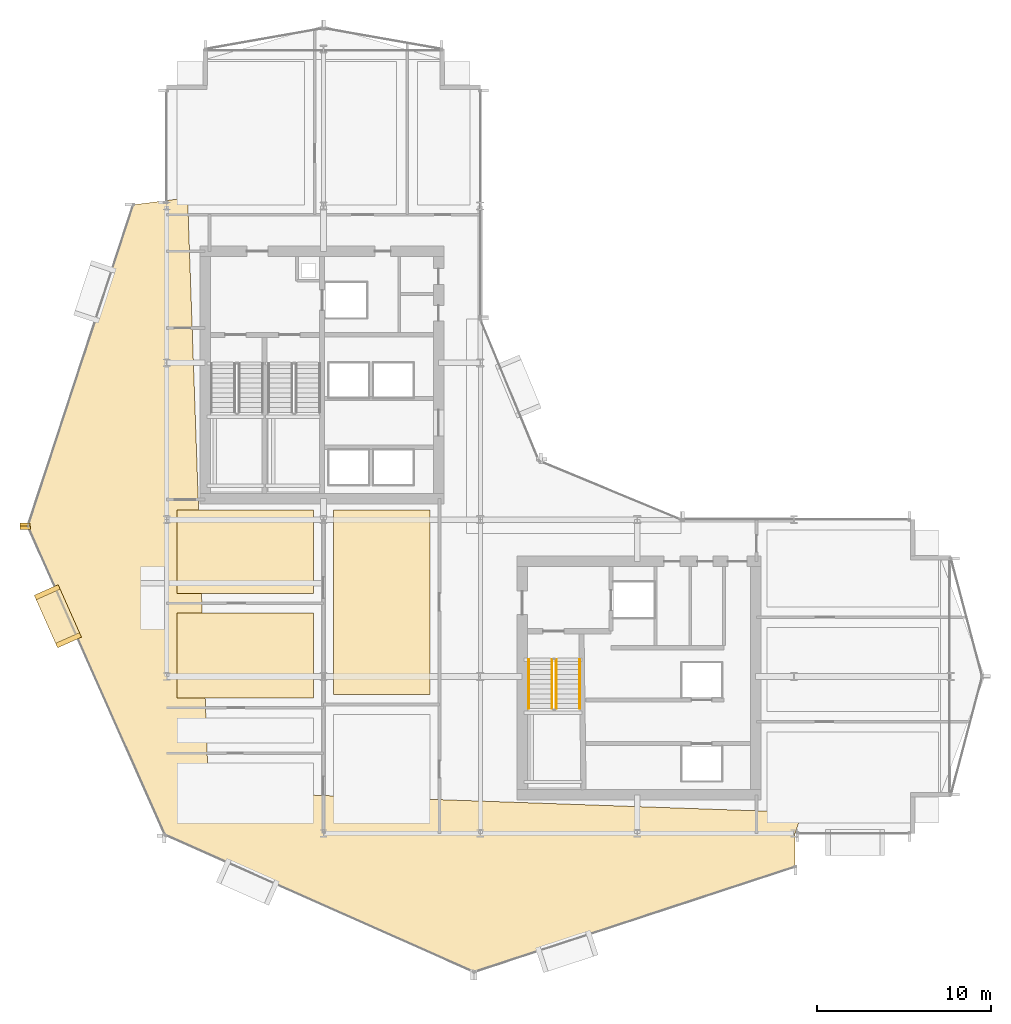
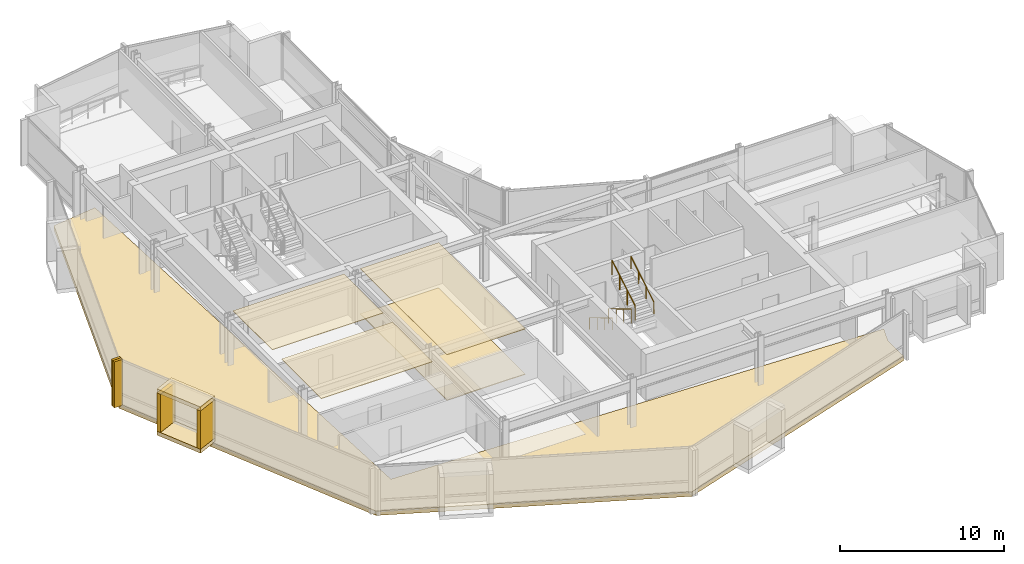
# One storey, part 25 of 28: 11 coverings, 4 railings.
"""IFC4 building model written with IfcOpenShell, lengths in metres."""

from ifc_helpers import new_model, si_unit, direction, frame, origin, origin_2d, place, context, subcontext, project, spatial, polyline, rectangle, circle, outline, extrude, material, layer, layer_set, type_object, element, save


model = new_model("IFC4")

# Units and contexts
model_context = context("Model", 3, precision=1e-05, world=origin(), true_north=direction((0.0, 1.0)))
body_context = subcontext(model_context, "Body", "Model", "MODEL_VIEW")
ifc_project = project(units=[si_unit("LENGTHUNIT", "METRE"), si_unit("AREAUNIT", "SQUARE_METRE"), si_unit("VOLUMEUNIT", "CUBIC_METRE"), si_unit("PLANEANGLEUNIT", "RADIAN"), si_unit("MASSUNIT", "GRAM", prefix="KILO")], contexts=[model_context])

# Site, building, storey
site_placement = place(None, origin())
site = spatial("IfcSite", under=ifc_project, at=site_placement, CompositionType="ELEMENT")
building_placement = place(site_placement, origin())
building = spatial("IfcBuilding", under=site, at=building_placement, Name="Solvaryn Broadcast Tower", CompositionType="ELEMENT")
storey_placement = place(building_placement, frame((0.0, 0.0, 110.0)))
storey = spatial("IfcBuildingStorey", under=building, at=storey_placement, Name="L26", CompositionType="ELEMENT", Elevation=110.0)

# Coverings
ifc_material_1 = material(Name="Micro-Perforated Acoustic Gypsum Ceiling", Category="concrete")
ifc_layer_1 = layer(ifc_material_1, 0.0400390625)
ifc_layer_set_1 = layer_set([ifc_layer_1], Name="CV-CEIL-ACOUSTIC")
covering_type_1 = type_object("IfcCoveringType", Name="CV-CEIL-ACOUSTIC", PredefinedType="CEILING", material=ifc_layer_set_1)
covering_1_placement = place(storey_placement, frame((0.0, 0.0, 3.3798828125)))
element("IfcCovering", 1, at=covering_1_placement, inside=storey, type_object=covering_type_1, Name="L26 Room Acoustic Ceiling 2", PredefinedType="CEILING", context=body_context, shape_type="SweptSolid", body=[
    extrude(outline(polyline([(18.570068359375, 16.969970703125), (24.10009765625, 16.969970703125), (24.10009765625, 27.56005859375), (18.570068359375, 27.56005859375), (18.570068359375, 16.969970703125)])), origin(), (0.0, 0.0, 1.0), 0.0400390625),
])
covering_2_placement = place(storey_placement, frame((0.0, 0.0, 3.3798828125)))
element("IfcCovering", 2, at=covering_2_placement, inside=storey, type_object=covering_type_1, Name="L26 Room Acoustic Ceiling 5", PredefinedType="CEILING", context=body_context, shape_type="SweptSolid", body=[
    extrude(outline(polyline([(9.60009765625, 16.77001953125), (17.429931640625, 16.77001953125), (17.429931640625, 21.6298828125), (9.60009765625, 21.6298828125), (9.60009765625, 16.77001953125)])), origin(), (0.0, 0.0, 1.0), 0.0400390625),
])
covering_3_placement = place(storey_placement, frame((0.0, 0.0, 3.3798828125)))
element("IfcCovering", 3, at=covering_3_placement, inside=storey, type_object=covering_type_1, Name="L26 Room Acoustic Ceiling 6", PredefinedType="CEILING", context=body_context, shape_type="SweptSolid", body=[
    extrude(outline(polyline([(9.60009765625, 22.77001953125), (17.429931640625, 22.77001953125), (17.429931640625, 27.56005859375), (9.60009765625, 27.56005859375), (9.60009765625, 22.77001953125)])), origin(), (0.0, 0.0, 1.0), 0.0400390625),
])
ifc_material_2 = material(Name="Newsroom Raised Data Access Flooring", Category="steel")
ifc_layer_2 = layer(ifc_material_2, 0.050048828125)
ifc_layer_set_2 = layer_set([ifc_layer_2], Name="CV-FLOOR-RAISED")
covering_type_2 = type_object("IfcCoveringType", Name="CV-FLOOR-RAISED", PredefinedType="FLOORING", material=ifc_layer_set_2)
covering_4_placement = place(storey_placement, origin())
element("IfcCovering", 4, at=covering_4_placement, inside=storey, type_object=covering_type_2, Name="L26 Room Acoustic Floor Finish 2", PredefinedType="FLOORING", context=body_context, shape_type="SweptSolid", body=[
    extrude(outline(polyline([(18.570068359375, 16.969970703125), (24.10009765625, 16.969970703125), (24.10009765625, 27.56005859375), (18.570068359375, 27.56005859375), (18.570068359375, 16.969970703125)])), origin(), (0.0, 0.0, 1.0), 0.050048828125),
])
ifc_material_3 = material(Name="Glazed Architectural Terracotta Rainscreen Cladding", Category="masonry")
ifc_layer_3 = layer(ifc_material_3, 0.280029296875)
ifc_layer_set_3 = layer_set([ifc_layer_3], Name="CV-TC-CLAD")
covering_type_3 = type_object("IfcCoveringType", Name="CV-TC-CLAD", PredefinedType="CLADDING", material=ifc_layer_set_3)
for number, where, z_axis, x_axis, name in (
    (5, (2.75390625, 21.45703125, 3.1298828125), (0.0, 0.0, 1.0), (0.405939269498, -0.913900054426, 0.0), "L26 Projecting Stone Window Box Hood 2"),
    (6, (2.75390625, 21.45703125, -0.01025390625), (0.0, 0.0, 1.0), (0.405939269498, -0.913900054426, 0.0), "L26 Projecting Stone Window Box Sill 2"),
):
    element("IfcCovering", number, at=place(storey_placement, frame(where, z_axis=z_axis, x_axis=x_axis)), inside=storey, type_object=covering_type_3, Name=name, PredefinedType="CLADDING", context=body_context, shape_type="SweptSolid", body=[
        extrude(rectangle(XDim=3.300048828125, YDim=1.5, at=origin_2d()), origin(), (0.0, 0.0, 1.0), 0.300048828125),
    ])
for number, where, z_axis, x_axis, name in (
    (7, (2.14111328125, 22.8369140625, 0.27978515625), (0.0, 0.0, 1.0), (0.405939269498, -0.913900054426, 0.0), "L26 Projecting Stone Window Box Cheek 2-1"),
    (8, (3.366943359375, 20.076904296875, 0.27978515625), (0.0, 0.0, 1.0), (0.405939269498, -0.913900054426, 0.0), "L26 Projecting Stone Window Box Cheek 2-2"),
):
    element("IfcCovering", number, at=place(storey_placement, frame(where, z_axis=z_axis, x_axis=x_axis)), inside=storey, type_object=covering_type_3, Name=name, PredefinedType="CLADDING", context=body_context, shape_type="SweptSolid", body=[
        extrude(rectangle(XDim=0.280029296875, YDim=1.5, at=origin_2d()), origin(), (0.0, 0.0, 1.0), 2.860107421875),
    ])
ifc_material_4 = material(Name="Extruded Architectural Terracotta Fin", Category="masonry")
ifc_layer_4 = layer(ifc_material_4, 0.179931640625)
ifc_layer_set_4 = layer_set([ifc_layer_4], Name="CV-TC-FIN")
covering_type_4 = type_object("IfcCoveringType", Name="CV-TC-FIN", PredefinedType="USERDEFINED", material=ifc_layer_set_4)
for number, where, z_axis, x_axis, name in (
    (9, (0.872314453125, 26.720703125, 0.0), (0.0, 0.0, 1.0), (1.0, 0.0, 0.0), "L26 Terracotta Vertical Fin FIN-L26-DR1-M01"),
    (10, (0.8818359375, 26.535888671875, 0.0), (0.0, 0.0, 1.0), (1.0, 0.0, 0.0), "L26 Terracotta Vertical Fin FIN-L26-DR2-M00"),
):
    element("IfcCovering", number, at=place(storey_placement, frame(where, z_axis=z_axis, x_axis=x_axis)), inside=storey, type_object=covering_type_4, Name=name, ObjectType="FIN", PredefinedType="USERDEFINED", context=body_context, shape_type="SweptSolid", body=[
        extrude(rectangle(XDim=0.580078125, YDim=0.179931640625, at=origin_2d()), origin(), (0.0, 0.0, 1.0), 3.419921875),
    ])
ifc_material_5 = material(Name="Sculpted Architectural Terracotta Wave Fascia", Category="masonry")
ifc_layer_5 = layer(ifc_material_5, 0.340087890625)
ifc_layer_set_5 = layer_set([ifc_layer_5], Name="CV-WAVE-TRAY")
covering_type_5 = type_object("IfcCoveringType", Name="CV-WAVE-TRAY", PredefinedType="CLADDING", material=ifc_layer_set_5)
covering_5_placement = place(storey_placement, frame((0.0, 0.0, -0.300048828125)))
element("IfcCovering", 11, at=covering_5_placement, inside=storey, type_object=covering_type_5, Name="L26 Stepped Cylindrical Drum Floor Apron", PredefinedType="CLADDING", context=body_context, shape_type="SweptSolid", body=[
    extrude(outline(polyline([(10.199951171875, 45.467041015625), (7.0791015625, 45.06689453125), (1.033935546875, 26.635986328125), (8.907958984375, 8.907958984375), (26.635986328125, 1.033935546875), (45.06689453125, 7.0791015625), (45.06689453125, 9.0), (45.467041015625, 10.199951171875), (11.39990234375, 11.39990234375), (10.199951171875, 45.467041015625)])), origin(), (0.0, 0.0, 1.0), 0.330078125),
])

# Railings
ifc_material_6 = material(Name="Painted Steel Stair Well Guard", Category="steel")
railing_type_1 = type_object("IfcRailingType", Name="RL-STAIR-GUARD", PredefinedType="BALUSTRADE", material=ifc_material_6)
railing_1_placement = place(storey_placement, frame((31.110107421875, 18.9599609375, 0.168212890625)))
element("IfcRailing", 12, at=railing_1_placement, inside=storey, type_object=railing_type_1, Name="L26 ST3 stair guard 1", PredefinedType="BALUSTRADE", context=body_context, shape_type="SweptSolid", body=[
    extrude(circle(Radius=0.02392578125, at=origin_2d()), frame((0.0, 0.0, 1.076171875), z_axis=(0.0, -0.857242210791, 0.514913383045), x_axis=(1.0, 0.0, 0.0)), (0.0, 0.0, 1.0), 3.266357421875),
    extrude(circle(Radius=0.02099609375, at=origin_2d()), origin(), (0.0, 0.0, 1.0), 1.052001953125),
    extrude(circle(Radius=0.02099609375, at=origin_2d()), frame((0.0, -0.933349609375, 0.560546875)), (0.0, 0.0, 1.0), 1.052001953125),
    extrude(circle(Radius=0.02099609375, at=origin_2d()), frame((0.0, -1.86669921875, 1.121337890625)), (0.0, 0.0, 1.0), 1.052001953125),
    extrude(circle(Radius=0.02099609375, at=origin_2d()), frame((0.0, -2.800048828125, 1.681884765625)), (0.0, 0.0, 1.0), 1.052001953125),
])
railing_2_placement = place(storey_placement, frame((31.360107421875, 16.159912109375, 2.01806640625)))
element("IfcRailing", 13, at=railing_2_placement, inside=storey, type_object=railing_type_1, Name="L26 ST3 stair guard 3", PredefinedType="BALUSTRADE", context=body_context, shape_type="SweptSolid", body=[
    extrude(circle(Radius=0.02392578125, at=origin_2d()), frame((0.0, 0.0, 1.076171875), z_axis=(0.0, 0.857242210791, 0.514913383045), x_axis=(-1.0, 0.0, 0.0)), (0.0, 0.0, 1.0), 3.266357421875),
    extrude(circle(Radius=0.02099609375, at=origin_2d()), origin(), (0.0, 0.0, 1.0), 1.052001953125),
    extrude(circle(Radius=0.02099609375, at=origin_2d()), frame((0.0, 0.933349609375, 0.560546875)), (0.0, 0.0, 1.0), 1.052001953125),
    extrude(circle(Radius=0.02099609375, at=origin_2d()), frame((0.0, 1.86669921875, 1.121337890625)), (0.0, 0.0, 1.0), 1.052001953125),
    extrude(circle(Radius=0.02099609375, at=origin_2d()), frame((0.0, 2.800048828125, 1.681884765625)), (0.0, 0.0, 1.0), 1.052001953125),
])
ifc_material_7 = material(Name="Brushed Stainless Steel Tubular Handrail", Category="steel")
railing_type_2 = type_object("IfcRailingType", Name="RL-STAIR-HANDRAIL", PredefinedType="HANDRAIL", material=ifc_material_7)
railing_3_placement = place(storey_placement, frame((29.77001953125, 18.9599609375, 0.168212890625)))
element("IfcRailing", 14, at=railing_3_placement, inside=storey, type_object=railing_type_2, Name="L26 ST3 stair handrail 1", PredefinedType="HANDRAIL", context=body_context, shape_type="SweptSolid", body=[
    extrude(circle(Radius=0.02392578125, at=origin_2d()), frame((0.0, 0.0, 0.8759765625), z_axis=(0.0, -0.857242210791, 0.514913383045), x_axis=(1.0, 0.0, 0.0)), (0.0, 0.0, 1.0), 3.266357421875),
    extrude(circle(Radius=0.02099609375, at=origin_2d()), origin(), (0.0, 0.0, 1.0), 0.851806640625),
    extrude(circle(Radius=0.02099609375, at=origin_2d()), frame((0.0, -0.933349609375, 0.560546875)), (0.0, 0.0, 1.0), 0.851806640625),
    extrude(circle(Radius=0.02099609375, at=origin_2d()), frame((0.0, -1.86669921875, 1.121337890625)), (0.0, 0.0, 1.0), 0.851806640625),
    extrude(circle(Radius=0.02099609375, at=origin_2d()), frame((0.0, -2.800048828125, 1.681884765625)), (0.0, 0.0, 1.0), 0.851806640625),
])
railing_4_placement = place(storey_placement, frame((32.699951171875, 16.159912109375, 2.01806640625)))
element("IfcRailing", 15, at=railing_4_placement, inside=storey, type_object=railing_type_2, Name="L26 ST3 stair handrail 2", PredefinedType="HANDRAIL", context=body_context, shape_type="SweptSolid", body=[
    extrude(circle(Radius=0.02392578125, at=origin_2d()), frame((0.0, 0.0, 0.8759765625), z_axis=(0.0, 0.857242210791, 0.514913383045), x_axis=(-1.0, 0.0, 0.0)), (0.0, 0.0, 1.0), 3.266357421875),
    extrude(circle(Radius=0.02099609375, at=origin_2d()), origin(), (0.0, 0.0, 1.0), 0.851806640625),
    extrude(circle(Radius=0.02099609375, at=origin_2d()), frame((0.0, 0.933349609375, 0.560546875)), (0.0, 0.0, 1.0), 0.851806640625),
    extrude(circle(Radius=0.02099609375, at=origin_2d()), frame((0.0, 1.86669921875, 1.121337890625)), (0.0, 0.0, 1.0), 0.851806640625),
    extrude(circle(Radius=0.02099609375, at=origin_2d()), frame((0.0, 2.800048828125, 1.681884765625)), (0.0, 0.0, 1.0), 0.851806640625),
])

save(model, "model.ifc")
